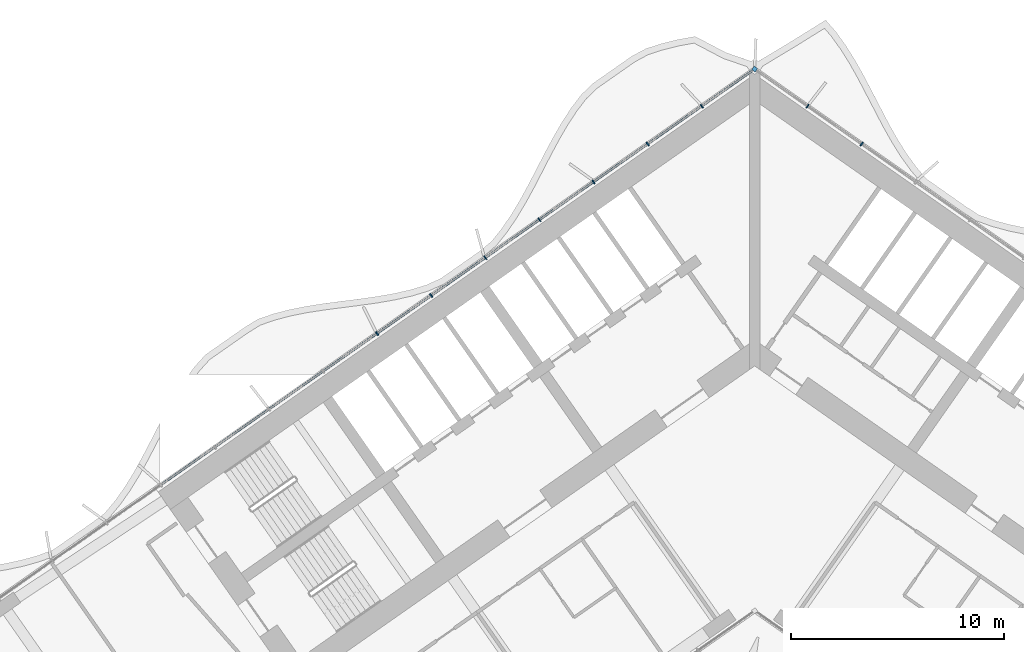
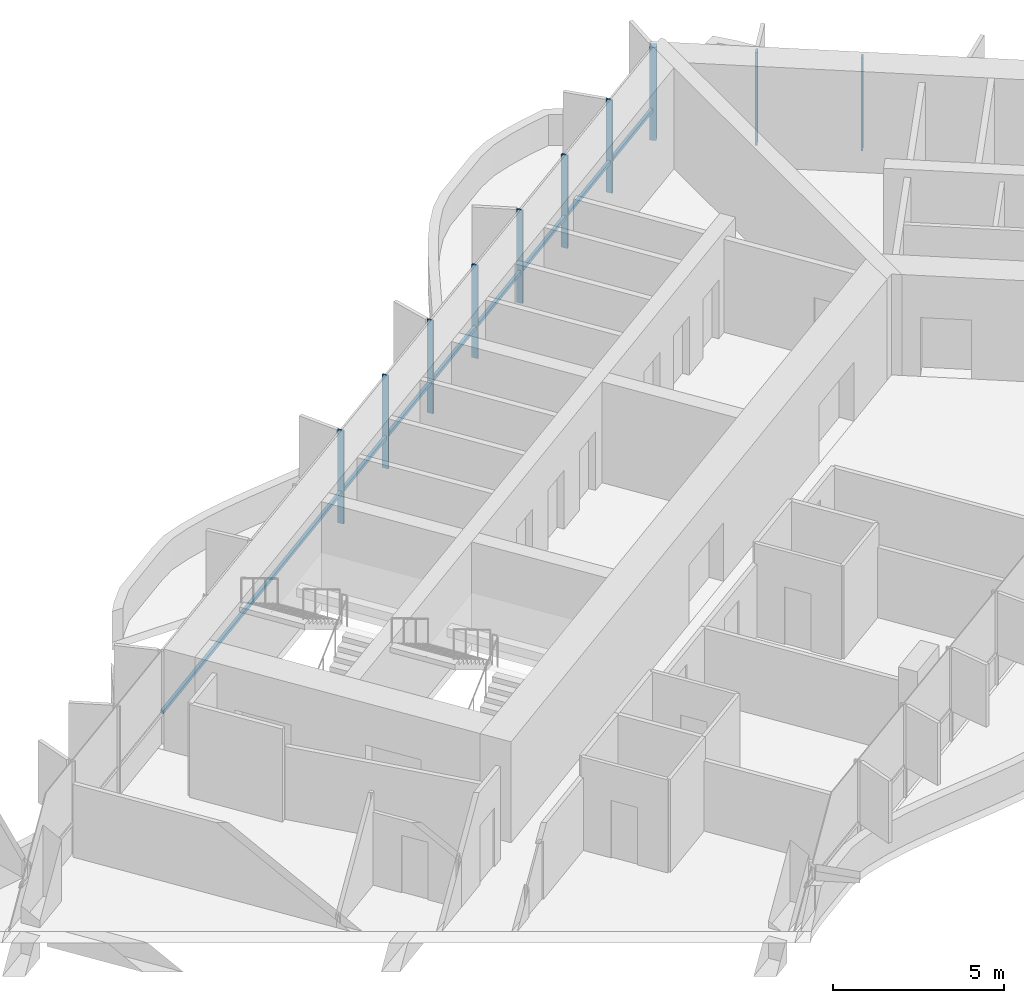
# One storey, part 7 of 22: 11 members, 1 element without a shape of its own.
"""IFC4 building model written with IfcOpenShell, lengths in metres."""

import ifcopenshell
import ifcopenshell.guid

model = None  # the IFC model being written
_history = None  # IfcOwnerHistory: only IFC2X3 demands one
_inside = {}  # id of a spatial element -> (the spatial element, [elements in it])
_under = {}  # id of a project, library or spatial element -> (it, [spatial elements below it])
_declared = {}  # id of a project -> (the project, [libraries it declares])
_typed = {}  # id of a type object -> (the type object, [elements of that type])
_made_of = {}  # id of a material, layer set ... -> (it, [elements and type objects made of it])


def new_model(schema):
    """Start an empty IFC model of exactly this schema.

    Asked for "IFC4X3", IfcOpenShell would pick the latest addendum, in which some entities
    have other attributes; the version numbers below select the first issue.
    IFC2X3 requires an IfcOwnerHistory on every rooted entity: one is made here for all.
    """
    global model, _history
    if schema == "IFC4X3":
        model = ifcopenshell.file(schema_version=(4, 3, 0, 0))
    else:
        model = ifcopenshell.file(schema=schema)
    _inside.clear()
    _under.clear()
    _declared.clear()
    _typed.clear()
    _made_of.clear()
    _history = None
    if model.schema == "IFC2X3":
        org = make("IfcOrganization", Name="unknown")
        user = make(
            "IfcPersonAndOrganization",
            ThePerson=make("IfcPerson", FamilyName="unknown"),
            TheOrganization=org,
        )
        app = make(
            "IfcApplication",
            ApplicationDeveloper=org,
            Version="unknown",
            ApplicationFullName="unknown",
            ApplicationIdentifier="unknown",
        )
        _history = make(
            "IfcOwnerHistory",
            OwningUser=user,
            OwningApplication=app,
            ChangeAction="ADDED",
            CreationDate=0,
        )
    return model


def make(cls, **values):
    """One entity of the class cls with the attributes given. An attribute that is None is left unset."""
    return model.create_entity(
        cls, **{name: value for name, value in values.items() if value is not None}
    )


def rooted(cls, **values):
    """An entity with a GlobalId (a new one), such as an element, a storey or a relation."""
    return make(cls, GlobalId=ifcopenshell.guid.new(), OwnerHistory=_history, **values)


def si_unit(unit_type, name, prefix=None):
    """IfcSIUnit, for example si_unit("LENGTHUNIT", "METRE", prefix="MILLI")."""
    return make("IfcSIUnit", UnitType=unit_type, Prefix=prefix, Name=name)


def assignment(units):
    """IfcUnitAssignment: the units of a project."""
    return None if units is None else make("IfcUnitAssignment", Units=units)


def point(xyz):
    """IfcCartesianPoint."""
    return None if xyz is None else make("IfcCartesianPoint", Coordinates=xyz)


def direction(xyz):
    """IfcDirection."""
    return None if xyz is None else make("IfcDirection", DirectionRatios=xyz)


def frame(location, z_axis=None, x_axis=None):
    """IfcAxis2Placement3D, a coordinate frame: its origin and axes. An axis left out is left unset."""
    return make(
        "IfcAxis2Placement3D",
        Location=point(location),
        Axis=direction(z_axis),
        RefDirection=direction(x_axis),
    )


def frame_2d(location, x_axis=None):
    """IfcAxis2Placement2D, a coordinate frame in the plane: its origin and x axis."""
    return make(
        "IfcAxis2Placement2D", Location=point(location), RefDirection=direction(x_axis)
    )


def origin():
    """The frame at (0, 0, 0) with its axes left unset."""
    return frame((0.0, 0.0, 0.0))


def origin_2d():
    """The frame at (0, 0) in the plane with its x axis left unset."""
    return frame_2d((0.0, 0.0))


def place(relative_to, where):
    """IfcLocalPlacement: puts the frame where relative to a parent placement (None: the world)."""
    return make(
        "IfcLocalPlacement", PlacementRelTo=relative_to, RelativePlacement=where
    )


def context(
    kind, dimensions, precision=None, world=None, true_north=None, identifier=None
):
    """IfcGeometricRepresentationContext, for example the 3D "Model" context."""
    return make(
        "IfcGeometricRepresentationContext",
        ContextIdentifier=identifier,
        ContextType=kind,
        CoordinateSpaceDimension=dimensions,
        Precision=precision,
        WorldCoordinateSystem=world,
        TrueNorth=true_north,
    )


def subcontext(parent, identifier, kind, view, scale=None):
    """IfcGeometricRepresentationSubContext, for example "Body" below "Model"."""
    return make(
        "IfcGeometricRepresentationSubContext",
        ContextIdentifier=identifier,
        ContextType=kind,
        ParentContext=parent,
        TargetScale=scale,
        TargetView=view,
    )


def project(units=None, contexts=None):
    """IfcProject with its units and contexts."""
    return rooted(
        "IfcProject",
        Name="project",
        RepresentationContexts=contexts,
        UnitsInContext=assignment(units),
    )


def spatial(cls, under=None, at=None, **own):
    """A site, building, storey or space (cls), placed at a placement, below another one or the project."""
    s = rooted(cls, ObjectPlacement=at, **own)
    if under is not None:
        _under.setdefault(under.id(), (under, []))[1].append(s)
    return s


def profile(cls, at=None, kind="AREA", **sizes):
    """A parametric profile (cls). Its sizes go by their IFC names, for example OverallWidth=200.0."""
    return make(cls, ProfileType=kind, Position=at, **sizes)


def rectangle(**sizes):
    """IfcRectangleProfileDef."""
    return profile("IfcRectangleProfileDef", **sizes)


def extrude(swept, where, along, depth):
    """IfcExtrudedAreaSolid: the profile swept, set in the frame where, extruded along a direction by depth."""
    return make(
        "IfcExtrudedAreaSolid",
        SweptArea=swept,
        Position=where,
        ExtrudedDirection=direction(along),
        Depth=depth,
    )


def shape(context_of_items, identifier, shape_type, items):
    """IfcShapeRepresentation: the items that make up one representation, for example the "Body"."""
    return make(
        "IfcShapeRepresentation",
        ContextOfItems=context_of_items,
        RepresentationIdentifier=identifier,
        RepresentationType=shape_type,
        Items=items,
    )


def material(Name=None, Category=None):
    """IfcMaterial."""
    return make("IfcMaterial", Name=Name, Category=Category)


def material_profile(
    of_material, cross_section, Name=None, Category=None, Priority=None
):
    """IfcMaterialProfile: a cross section and its material."""
    return make(
        "IfcMaterialProfile",
        Name=Name,
        Material=of_material,
        Profile=cross_section,
        Priority=Priority,
        Category=Category,
    )


def profile_set(profiles, Name=None, composite=None):
    """IfcMaterialProfileSet."""
    return make(
        "IfcMaterialProfileSet",
        Name=Name,
        MaterialProfiles=profiles,
        CompositeProfile=composite,
    )


def made_of(thing, what):
    """Note that an element or type object is made of a material, layer set ...; save() writes the relation."""
    if what is not None:
        _made_of.setdefault(what.id(), (what, []))[1].append(thing)
    return thing


def type_object(cls, material=None, **own):
    """A type object (cls), such as IfcWallType, which elements share."""
    return made_of(rooted(cls, **own), material)


def element(
    cls,
    number,
    at=None,
    inside=None,
    cuts=None,
    type_object=None,
    material=None,
    context=None,
    identifier="Body",
    shape_type=None,
    held_by="IfcProductDefinitionShape",
    body=None,
    shapes=None,
    **own,
):
    """One element of the class cls, such as IfcWall. Its Tag is "e" and its number.

    at: its placement. inside: the storey or other place that contains it. cuts: it is an
    opening in that element (IfcRelVoidsElement). A single representation is given by context,
    identifier, shape_type and body (its items); several are given by shapes. held_by: the class
    of the entity that holds the representations. save() writes the other relations.
    """
    e = rooted(cls, Tag="e%d" % number, ObjectPlacement=at, **own)
    if body is not None:
        shapes = [shape(context, identifier, shape_type, body)]
    if shapes is not None:
        e.Representation = make(held_by, Representations=shapes)
    if inside is not None:
        _inside.setdefault(inside.id(), (inside, []))[1].append(e)
    if cuts is not None:
        rooted(
            "IfcRelVoidsElement", RelatingBuildingElement=cuts, RelatedOpeningElement=e
        )
    if type_object is not None:
        _typed.setdefault(type_object.id(), (type_object, []))[1].append(e)
    return made_of(e, material)


def aggregate(whole, parts):
    """IfcRelAggregates: a whole, such as a stair, and the parts it consists of."""
    return rooted("IfcRelAggregates", RelatingObject=whole, RelatedObjects=parts)


def save(model, path):
    """Write the relations noted so far, then the file.

    IfcRelAggregates (storeys below a building ...), IfcRelContainedInSpatialStructure (elements
    in a storey), IfcRelDefinesByType, IfcRelAssociatesMaterial and IfcRelDeclares: one each for
    every whole, place, type object, material and project.
    """
    for whole, parts in _under.values():
        aggregate(whole, parts)
    for where, things in _inside.values():
        rooted(
            "IfcRelContainedInSpatialStructure",
            RelatedElements=things,
            RelatingStructure=where,
        )
    for kind, things in _typed.values():
        rooted("IfcRelDefinesByType", RelatedObjects=things, RelatingType=kind)
    for what, things in _made_of.values():
        rooted("IfcRelAssociatesMaterial", RelatedObjects=things, RelatingMaterial=what)
    for by, libraries in _declared.values():
        rooted("IfcRelDeclares", RelatingContext=by, RelatedDefinitions=libraries)
    model.write(path)


model = new_model("IFC4")

# Units and contexts
model_context = context("Model", 3, precision=1e-05, world=origin(), true_north=direction((0.0, 1.0)))
body_context = subcontext(model_context, "Body", "Model", "MODEL_VIEW")
ifc_project = project(units=[si_unit("LENGTHUNIT", "METRE"), si_unit("AREAUNIT", "SQUARE_METRE"), si_unit("VOLUMEUNIT", "CUBIC_METRE"), si_unit("PLANEANGLEUNIT", "RADIAN"), si_unit("MASSUNIT", "GRAM", prefix="KILO")], contexts=[model_context])

# Site, building, storey
site_placement = place(None, origin())
site = spatial("IfcSite", under=ifc_project, at=site_placement, CompositionType="ELEMENT")
building_placement = place(site_placement, origin())
building = spatial("IfcBuilding", under=site, at=building_placement, Name="Tel Ilan Convention Tower", CompositionType="ELEMENT")
storey_placement = place(building_placement, frame((0.0, 0.0, 122.89990234375)))
storey = spatial("IfcBuildingStorey", under=building, at=storey_placement, Name="L27", CompositionType="ELEMENT", Elevation=122.89990234375)

# Curtain wall, members
ifc_material_1 = material(Name="Aluminium, bronze anodised", Category="aluminium")
curtain_wall_type = type_object("IfcCurtainWallType", Name="CW2 STICK CURTAIN WALL, SPANDREL PANELS", PredefinedType="NOTDEFINED", material=ifc_material_1)
curtain_wall_placement = place(storey_placement, origin())
curtain_wall = element("IfcCurtainWall", 1, at=curtain_wall_placement, inside=storey, type_object=curtain_wall_type, Name="Curtain wall CW2-21.01", PredefinedType="NOTDEFINED")
ifc_material_2 = material(Name="Aluminium, bronze anodised", Category="aluminium")
ifc_material_profile_1 = material_profile(ifc_material_2, rectangle(XDim=0.199951171875, YDim=0.199951171875, at=origin_2d()), Name="CW CORNER MULLION 200x200")
ifc_profile_set_1 = profile_set([ifc_material_profile_1], Name="Aluminium, bronze anodised")
member_type_1 = type_object("IfcMemberType", Name="CW CORNER MULLION 200x200", PredefinedType="MULLION", material=ifc_profile_set_1)
member_1_placement = place(storey_placement, frame((0.0, 12.696044921875, 0.0), z_axis=(0.0, 0.0, 1.0), x_axis=(-0.819152044289, 0.573576436351, 0.0)))
member_1 = element("IfcMember", 2, at=member_1_placement, type_object=member_type_1, Name="Corner mullion", PredefinedType="MULLION", context=body_context, shape_type="SweptSolid", body=[
    extrude(rectangle(XDim=0.199951171875, YDim=0.199951171875, at=origin_2d()), origin(), (0.0, 0.0, 1.0), 3.320068359375),
])
ifc_material_3 = material(Name="Aluminium, bronze anodised", Category="aluminium")
ifc_material_profile_2 = material_profile(ifc_material_3, rectangle(XDim=0.06005859375, YDim=0.199951171875, at=origin_2d()), Name="CW MULLION 60x200")
ifc_profile_set_2 = profile_set([ifc_material_profile_2], Name="Aluminium, bronze anodised")
member_type_2 = type_object("IfcMemberType", Name="CW MULLION 60x200", PredefinedType="MULLION", material=ifc_profile_set_2)
member_2_placement = place(storey_placement, frame((5.0166015625, 9.18359375, 0.0), z_axis=(0.0, 0.0, 1.0), x_axis=(-0.819152044289, 0.573576436351, 0.0)))
member_2 = element("IfcMember", 3, at=member_2_placement, type_object=member_type_2, Name="Mullion", PredefinedType="MULLION", context=body_context, shape_type="SweptSolid", body=[
    extrude(rectangle(XDim=0.06005859375, YDim=0.199951171875, at=origin_2d()), origin(), (0.0, 0.0, 1.0), 3.320068359375),
])
member_3_placement = place(storey_placement, frame((2.4794921875, 10.9599609375, 0.0), z_axis=(0.0, 0.0, 1.0), x_axis=(-0.819152044289, 0.573576436351, 0.0)))
member_3 = element("IfcMember", 4, at=member_3_placement, type_object=member_type_2, Name="Mullion", PredefinedType="MULLION", context=body_context, shape_type="SweptSolid", body=[
    extrude(rectangle(XDim=0.06005859375, YDim=0.199951171875, at=origin_2d()), origin(), (0.0, 0.0, 1.0), 3.320068359375),
])
member_4_placement = place(storey_placement, frame((-2.4794921875, 10.9599609375, 0.0), z_axis=(0.0, 0.0, 1.0), x_axis=(-0.819152044289, -0.573576436351, 0.0)))
member_4 = element("IfcMember", 5, at=member_4_placement, type_object=member_type_2, Name="Mullion", PredefinedType="MULLION", context=body_context, shape_type="SweptSolid", body=[
    extrude(rectangle(XDim=0.06005859375, YDim=0.199951171875, at=origin_2d()), origin(), (0.0, 0.0, 1.0), 3.320068359375),
])
member_5_placement = place(storey_placement, frame((-5.0166015625, 9.18359375, 0.0), z_axis=(0.0, 0.0, 1.0), x_axis=(-0.819152044289, -0.573576436351, 0.0)))
member_5 = element("IfcMember", 6, at=member_5_placement, type_object=member_type_2, Name="Mullion", PredefinedType="MULLION", context=body_context, shape_type="SweptSolid", body=[
    extrude(rectangle(XDim=0.06005859375, YDim=0.199951171875, at=origin_2d()), origin(), (0.0, 0.0, 1.0), 3.320068359375),
])
member_6_placement = place(storey_placement, frame((-7.553466796875, 7.406982421875, 0.0), z_axis=(0.0, 0.0, 1.0), x_axis=(-0.819152044289, -0.573576436351, 0.0)))
member_6 = element("IfcMember", 7, at=member_6_placement, type_object=member_type_2, Name="Mullion", PredefinedType="MULLION", context=body_context, shape_type="SweptSolid", body=[
    extrude(rectangle(XDim=0.06005859375, YDim=0.199951171875, at=origin_2d()), origin(), (0.0, 0.0, 1.0), 3.320068359375),
])
member_7_placement = place(storey_placement, frame((-10.09033203125, 5.630615234375, 0.0), z_axis=(0.0, 0.0, 1.0), x_axis=(-0.819152044289, -0.573576436351, 0.0)))
member_7 = element("IfcMember", 8, at=member_7_placement, type_object=member_type_2, Name="Mullion", PredefinedType="MULLION", context=body_context, shape_type="SweptSolid", body=[
    extrude(rectangle(XDim=0.06005859375, YDim=0.199951171875, at=origin_2d()), origin(), (0.0, 0.0, 1.0), 3.320068359375),
])
member_8_placement = place(storey_placement, frame((-12.627197265625, 3.854248046875, 0.0), z_axis=(0.0, 0.0, 1.0), x_axis=(-0.819152044289, -0.573576436351, 0.0)))
member_8 = element("IfcMember", 9, at=member_8_placement, type_object=member_type_2, Name="Mullion", PredefinedType="MULLION", context=body_context, shape_type="SweptSolid", body=[
    extrude(rectangle(XDim=0.06005859375, YDim=0.199951171875, at=origin_2d()), origin(), (0.0, 0.0, 1.0), 3.320068359375),
])
member_9_placement = place(storey_placement, frame((-15.1640625, 2.077880859375, 0.0), z_axis=(0.0, 0.0, 1.0), x_axis=(-0.819152044289, -0.573576436351, 0.0)))
member_9 = element("IfcMember", 10, at=member_9_placement, type_object=member_type_2, Name="Mullion", PredefinedType="MULLION", context=body_context, shape_type="SweptSolid", body=[
    extrude(rectangle(XDim=0.06005859375, YDim=0.199951171875, at=origin_2d()), origin(), (0.0, 0.0, 1.0), 3.320068359375),
])
member_10_placement = place(storey_placement, frame((-17.701171875, 0.301513671875, 0.0), z_axis=(0.0, 0.0, 1.0), x_axis=(-0.819152044289, -0.573576436351, 0.0)))
member_10 = element("IfcMember", 11, at=member_10_placement, type_object=member_type_2, Name="Mullion", PredefinedType="MULLION", context=body_context, shape_type="SweptSolid", body=[
    extrude(rectangle(XDim=0.06005859375, YDim=0.199951171875, at=origin_2d()), origin(), (0.0, 0.0, 1.0), 3.320068359375),
])
ifc_material_4 = material(Name="Aluminium, bronze anodised", Category="aluminium")
ifc_material_profile_3 = material_profile(ifc_material_4, rectangle(XDim=0.10009765625, YDim=0.1201171875, at=origin_2d()), Name="CW TRANSOM 100x120")
ifc_profile_set_3 = profile_set([ifc_material_profile_3], Name="Aluminium, bronze anodised")
member_type_3 = type_object("IfcMemberType", Name="CW TRANSOM 100x120", PredefinedType="USERDEFINED", material=ifc_profile_set_3)
member_11_placement = place(storey_placement, frame((-0.1064453125, 12.62158203125, 1.10009765625), z_axis=(-0.819151916241, -0.573576619222, 0.0), x_axis=(0.573576619222, -0.819151916241, 0.0)))
member_11 = element("IfcMember", 12, at=member_11_placement, type_object=member_type_3, Name="Transom", ObjectType="TRANSOM", PredefinedType="USERDEFINED", context=body_context, shape_type="SweptSolid", body=[
    extrude(rectangle(XDim=0.10009765625, YDim=0.1201171875, at=origin_2d()), origin(), (0.0, 0.0, 1.0), 33.837158203125),
])
aggregate(curtain_wall, [member_2, member_3, member_1, member_4, member_5, member_6, member_7, member_8, member_9, member_10, member_11])

save(model, "model.ifc")
